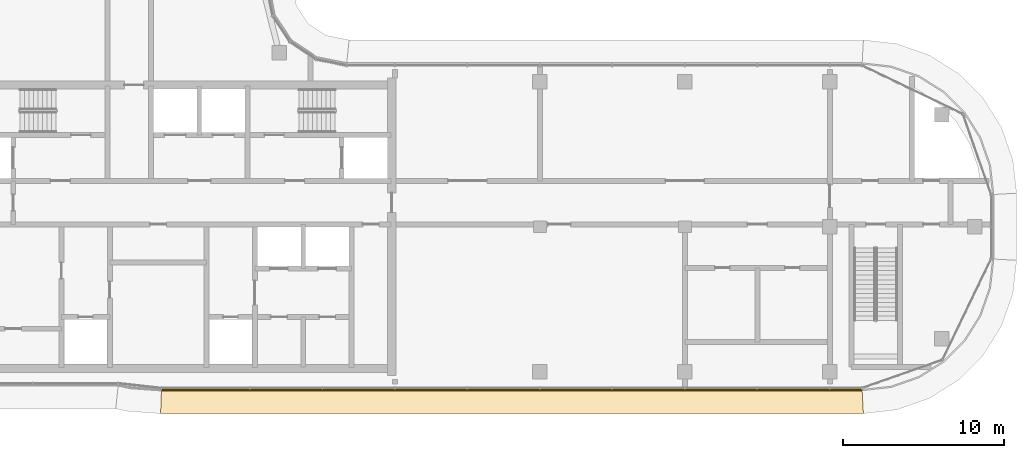
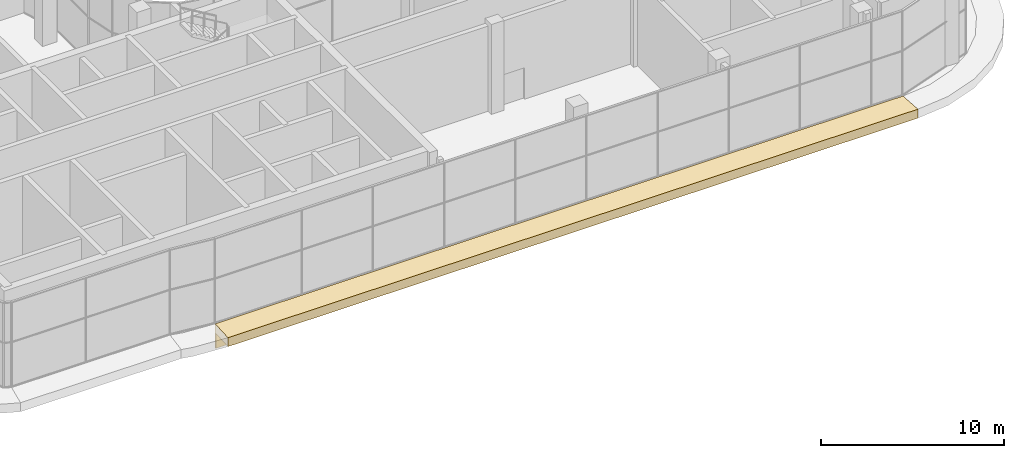
# One storey, part 21 of 23: 2 coverings.
"""IFC4 building model written with IfcOpenShell, lengths in metres."""

from ifc_helpers import new_model, si_unit, direction, frame, origin, place, context, subcontext, project, spatial, polyline, outline, extrude, material, layer, layer_set, type_object, element, save


model = new_model("IFC4")

# Units and contexts
model_context = context("Model", 3, precision=1e-05, world=origin(), true_north=direction((0.0, 1.0)))
body_context = subcontext(model_context, "Body", "Model", "MODEL_VIEW")
ifc_project = project(units=[si_unit("LENGTHUNIT", "METRE"), si_unit("AREAUNIT", "SQUARE_METRE"), si_unit("VOLUMEUNIT", "CUBIC_METRE"), si_unit("PLANEANGLEUNIT", "RADIAN"), si_unit("MASSUNIT", "GRAM", prefix="KILO")], contexts=[model_context])

# Site, building, storey
site_placement = place(None, origin())
site = spatial("IfcSite", under=ifc_project, at=site_placement, CompositionType="ELEMENT")
building_placement = place(site_placement, origin())
building = spatial("IfcBuilding", under=site, at=building_placement, Name="Ogive Portal Towers", CompositionType="ELEMENT")
storey_placement = place(building_placement, frame((0.0, 0.0, 260.89990234375)))
storey = spatial("IfcBuildingStorey", under=building, at=storey_placement, Name="L64", CompositionType="ELEMENT", Elevation=260.89990234375)

# Coverings
ifc_material = material(Name="Limestone cladding on lightweight block wall", Category="masonry")
ifc_layer_1 = layer(ifc_material, 0.080078125)
ifc_layer_set_1 = layer_set([ifc_layer_1], Name="STONE SPANDREL 80")
covering_type_1 = type_object("IfcCoveringType", Name="STONE SPANDREL 80", PredefinedType="CLADDING", material=ifc_layer_set_1)
covering_1_placement = place(storey_placement, frame((0.0, 0.0, -1.599853515625)))
element("IfcCovering", 1, at=covering_1_placement, inside=storey, type_object=covering_type_1, Name="Stone spandrel A1-F05", PredefinedType="CLADDING", context=body_context, shape_type="SweptSolid", body=[
    extrude(outline(polyline([(44.0, 20.39990234375), (87.5, 20.39990234375), (87.50439453125, 20.320068359375), (43.9970703125, 20.320068359375), (44.0, 20.39990234375)])), origin(), (0.0, 0.0, 1.0), 1.0),
])
ifc_layer_2 = layer(ifc_material, 0.60009765625)
ifc_layer_set_2 = layer_set([ifc_layer_2], Name="SUNSHADE LIP 600")
covering_type_2 = type_object("IfcCoveringType", Name="SUNSHADE LIP 600", PredefinedType="CLADDING", material=ifc_layer_set_2)
covering_2_placement = place(storey_placement, frame((0.0, 0.0, -0.599853515625)))
element("IfcCovering", 2, at=covering_2_placement, inside=storey, type_object=covering_type_2, Name="Sunshade lip A1-F05", PredefinedType="CLADDING", context=body_context, shape_type="SweptSolid", body=[
    extrude(outline(polyline([(44.0, 20.39990234375), (87.5, 20.39990234375), (87.584228515625, 18.89990234375), (43.946533203125, 18.89990234375), (44.0, 20.39990234375)])), origin(), (0.0, 0.0, 1.0), 0.599853515625),
])

save(model, "model.ifc")
